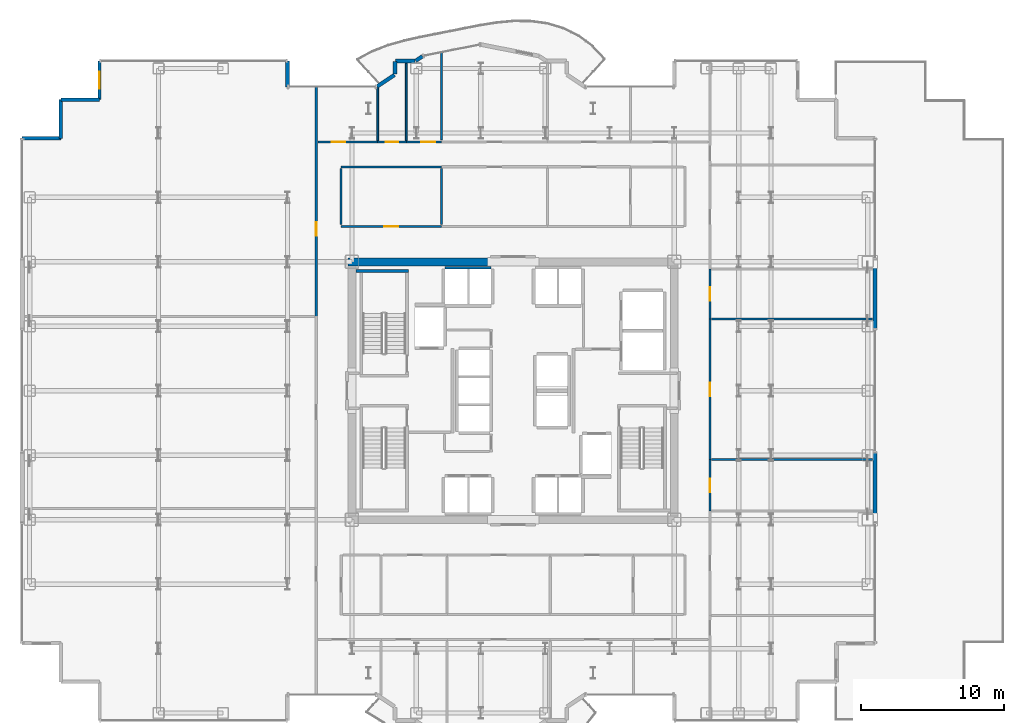
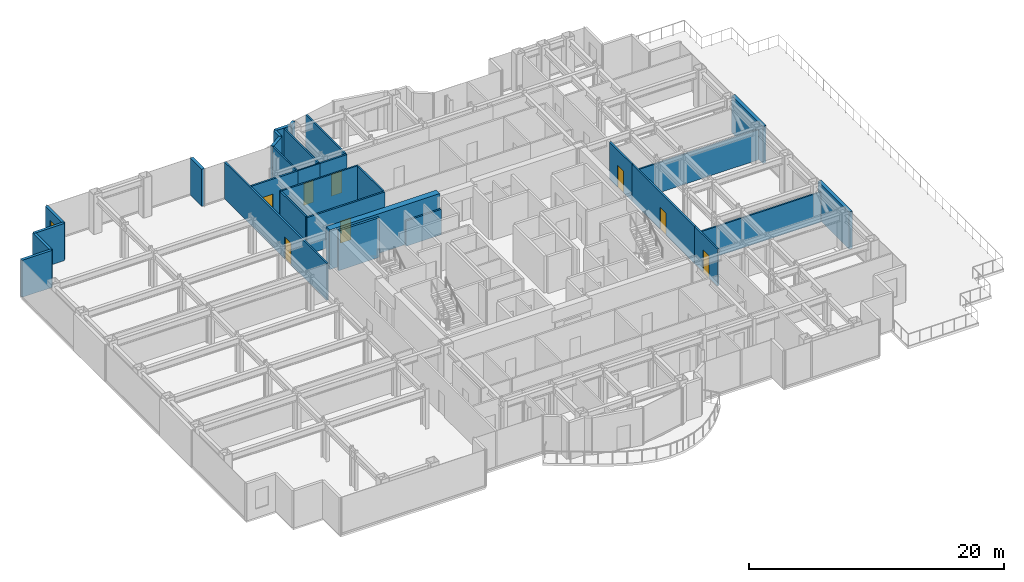
# One storey, part 23 of 27: 30 walls, 8 doors, 1 window, 9 openings.
"""IFC4 building model written with IfcOpenShell, lengths in metres."""

from ifc_helpers import new_model, si_unit, direction, frame, frame_2d, origin, place, context, subcontext, project, spatial, rectangle, extrude, source, transform, mapped, material, layer, layer_set, type_object, element, fill, save


model = new_model("IFC4")

# Units and contexts
model_context = context("Model", 3, precision=1e-05, world=origin(), true_north=direction((0.0, 1.0)))
body_context = subcontext(model_context, "Body", "Model", "MODEL_VIEW")
ifc_project = project(units=[si_unit("LENGTHUNIT", "METRE"), si_unit("AREAUNIT", "SQUARE_METRE"), si_unit("VOLUMEUNIT", "CUBIC_METRE"), si_unit("PLANEANGLEUNIT", "RADIAN"), si_unit("MASSUNIT", "GRAM", prefix="KILO")], contexts=[model_context])

# Site, building, storey
site_placement = place(None, origin())
site = spatial("IfcSite", under=ifc_project, at=site_placement, CompositionType="ELEMENT")
building_placement = place(site_placement, origin())
building = spatial("IfcBuilding", under=site, at=building_placement, Name="Nefas-Gora Pilgrimage Tower", CompositionType="ELEMENT")
storey_placement = place(building_placement, frame((0.0, 0.0, 148.800048828125)))
storey = spatial("IfcBuildingStorey", under=building, at=storey_placement, Name="L36", CompositionType="ELEMENT", Elevation=148.800048828125)

# Walls
ifc_material_1 = material(Name="Concrete C60/75", Category="concrete")
ifc_layer_1 = layer(ifc_material_1, 0.550048828125)
ifc_layer_set_1 = layer_set([ifc_layer_1], Name="Concrete C60/75")
wall_type_1 = type_object("IfcWallType", Name="SW-CORE-550", PredefinedType="SHEAR", material=ifc_layer_set_1)
shared_shape_1 = source(origin(), body_context, "Body", "SweptSolid", [
    extrude(rectangle(XDim=9.974853515625, YDim=0.550048828125, at=frame_2d((4.9873046875, 0.0))), origin(), (0.0, 0.0, 1.0), 3.800048828125),
])
wall_1_placement = place(storey_placement, frame((-11.52490234375, 9.0, 0.0), z_axis=(0.0, 0.0, 1.0), x_axis=(1.0, 0.0, 0.0)))
element("IfcWall", 1, at=wall_1_placement, inside=storey, type_object=wall_type_1, Name="L36 Core Shear Wall N-West", PredefinedType="SHEAR", context=body_context, shape_type="MappedRepresentation", body=[
    mapped(shared_shape_1, transform((0.0, 0.0, 0.0), x_axis=(1.0, 0.0, 0.0), y_axis=(0.0, 1.0, 0.0), z_axis=(0.0, 0.0, 1.0), scale=1.0)),
])
ifc_material_2 = material(Name="Precast concrete C45/55", Category="concrete")
ifc_layer_2 = layer(ifc_material_2, 0.239990234375)
ifc_layer_set_2 = layer_set([ifc_layer_2], Name="Precast concrete C45/55")
wall_type_2 = type_object("IfcWallType", Name="EW-SERR-240", PredefinedType="SHEAR", material=ifc_layer_set_2)
shared_shape_2 = source(origin(), body_context, "Body", "SweptSolid", [
    extrude(rectangle(XDim=4.8798828125, YDim=0.300048828125, at=frame_2d((2.43994140625, 0.0))), origin(), (0.0, 0.0, 1.0), 3.550048828125),
])
for number, where, z_axis, x_axis, name in (
    (2, (25.27001953125, -9.18994140625, 0.0), (0.0, 0.0, 1.0), (0.0, 1.0, 0.0), "L36 Braced-Tube Precast Shear Cladding 3"),
    (3, (25.27001953125, 4.31005859375, 0.0), (0.0, 0.0, 1.0), (0.0, 1.0, 0.0), "L36 Braced-Tube Precast Shear Cladding 4"),
):
    element("IfcWall", number, at=place(storey_placement, frame(where, z_axis=z_axis, x_axis=x_axis)), inside=storey, type_object=wall_type_2, Name=name, PredefinedType="SHEAR", context=body_context, shape_type="MappedRepresentation", body=[
        mapped(shared_shape_2, transform((0.0, 0.0, 0.0), x_axis=(1.0, 0.0, 0.0), y_axis=(0.0, 1.0, 0.0), z_axis=(0.0, 0.0, 1.0), scale=1.0)),
    ])
ifc_material_3 = material(Name="Precast concrete C40/50", Category="concrete")
ifc_layer_3 = layer(ifc_material_3, 0.260009765625)
ifc_layer_set_3 = layer_set([ifc_layer_3], Name="Precast concrete C40/50")
wall_type_3 = type_object("IfcWallType", Name="EW-PORTAL-260", PredefinedType="SOLIDWALL", material=ifc_layer_set_3)
shared_shape_3 = source(origin(), body_context, "Body", "SweptSolid", [
    extrude(rectangle(XDim=1.800048828125, YDim=0.260009765625, at=frame_2d((0.89990234375, 0.0))), origin(), (0.0, 0.0, 1.0), 3.550048828125),
])
wall_2_placement = place(storey_placement, frame((-15.75, 21.219970703125, 0.0), z_axis=(0.0, 0.0, 1.0), x_axis=(0.0, 1.0, 0.0)))
element("IfcWall", 4, at=wall_2_placement, inside=storey, type_object=wall_type_3, Name="L36 Lobe Shoulder Precast Spandrel Pier 24", PredefinedType="SOLIDWALL", context=body_context, shape_type="MappedRepresentation", body=[
    mapped(shared_shape_3, transform((0.0, 0.0, 0.0), x_axis=(1.0, 0.0, 0.0), y_axis=(0.0, 1.0, 0.0), z_axis=(0.0, 0.0, 1.0), scale=1.0)),
])

# Wall, opening, window
shared_shape_4 = source(origin(), body_context, "Body", "SweptSolid", [
    extrude(rectangle(XDim=2.699951171875, YDim=0.239990234375, at=frame_2d((1.35009765625, 0.0))), origin(), (0.0, 0.0, 1.0), 3.550048828125),
])
wall_3_placement = place(storey_placement, frame((-28.8701171875, 23.02001953125, 0.0), z_axis=(0.0, 0.0, 1.0), x_axis=(0.0, -1.0, 0.0)))
wall_3 = element("IfcWall", 5, at=wall_3_placement, inside=storey, type_object=wall_type_2, Name="L36 Serrated Corner Shear Pier Wall 25", PredefinedType="SHEAR", context=body_context, shape_type="MappedRepresentation", body=[
    mapped(shared_shape_4, transform((0.0, 0.0, 0.0), x_axis=(1.0, 0.0, 0.0), y_axis=(0.0, 1.0, 0.0), z_axis=(0.0, 0.0, 1.0), scale=1.0)),
])
opening_1_placement = place(wall_3_placement, frame((0.75, 0.0, 0.85009765625)))
opening_1 = element("IfcOpeningElement", 6, at=opening_1_placement, cuts=wall_3, Name="Opening W-V1", PredefinedType="OPENING", context=body_context, shape_type="SweptSolid", body=[
    extrude(rectangle(XDim=1.199951171875, YDim=1.800048828125, at=frame_2d((0.60009765625, 0.89990234375))), frame((0.0, 0.1298828125, 0.0), z_axis=(0.0, -1.0, 0.0), x_axis=(1.0, 0.0, 0.0)), (0.0, 0.0, 1.0), 0.260009765625),
])
ifc_material_4 = material(Name="Dark ceramic-fritted operable aluminium-glass window", Category="aluminium")
window_type = type_object("IfcWindowType", Name="WIN-VENT-1200x1800", PartitioningType="SINGLE_PANEL", PredefinedType="WINDOW", material=ifc_material_4)
shared_shape_5 = source(origin(), body_context, "Body", "SweptSolid", [
    extrude(rectangle(XDim=1.199951171875, YDim=1.800048828125, at=frame_2d((0.60009765625, 0.89990234375))), frame((0.0, 0.030029296875, 0.0), z_axis=(0.0, -1.0, 0.0), x_axis=(1.0, 0.0, 0.0)), (0.0, 0.0, 1.0), 0.06005859375),
])
window_placement = place(opening_1_placement, origin())
window = element("IfcWindow", 7, at=window_placement, inside=storey, type_object=window_type, Name="L36 Operable Parallel-Outswing Window 25", OverallHeight=1.800048828125, OverallWidth=1.199951171875, PartitioningType="SINGLE_PANEL", PredefinedType="WINDOW", context=body_context, shape_type="MappedRepresentation", body=[
    mapped(shared_shape_5, transform((0.0, 0.0, 0.0), x_axis=(1.0, 0.0, 0.0), y_axis=(0.0, 1.0, 0.0), z_axis=(0.0, 0.0, 1.0), scale=1.0)),
])
fill(opening_1, window)

# Walls
for number, where, z_axis, x_axis, name in (
    (8, (-28.8701171875, 20.320068359375, 0.0), (0.0, 0.0, 1.0), (-1.0, 0.0, 0.0), "L36 Serrated Corner Shear Pier Wall 26"),
    (9, (-31.570068359375, 20.320068359375, 0.0), (0.0, 0.0, 1.0), (0.0, -1.0, 0.0), "L36 Serrated Corner Shear Pier Wall 27"),
    (10, (-31.570068359375, 17.6201171875, 0.0), (0.0, 0.0, 1.0), (-1.0, 0.0, 0.0), "L36 Serrated Corner Shear Pier Wall 28"),
):
    element("IfcWall", number, at=place(storey_placement, frame(where, z_axis=z_axis, x_axis=x_axis)), inside=storey, type_object=wall_type_2, Name=name, PredefinedType="SHEAR", context=body_context, shape_type="MappedRepresentation", body=[
        mapped(shared_shape_4, transform((0.0, 0.0, 0.0), x_axis=(1.0, 0.0, 0.0), y_axis=(0.0, 1.0, 0.0), z_axis=(0.0, 0.0, 1.0), scale=1.0)),
    ])
shared_shape_6 = source(origin(), body_context, "Body", "SweptSolid", [
    extrude(rectangle(XDim=1.468994140625, YDim=0.260009765625, at=frame_2d((0.734375, 0.0))), origin(), (0.0, 0.0, 1.0), 3.550048828125),
])
wall_4_placement = place(storey_placement, frame((-8.273193359375, 22.0517578125, 0.0), z_axis=(0.0, 0.0, 1.0), x_axis=(-0.831461760506, -0.555581983884, 0.0)))
element("IfcWall", 11, at=wall_4_placement, inside=storey, type_object=wall_type_3, Name="L36 Lobe Shoulder Precast Spandrel Pier 23", PredefinedType="SOLIDWALL", context=body_context, shape_type="MappedRepresentation", body=[
    mapped(shared_shape_6, transform((0.0, 0.0, 0.0), x_axis=(1.0, 0.0, 0.0), y_axis=(0.0, 1.0, 0.0), z_axis=(0.0, 0.0, 1.0), scale=1.0)),
])
shared_shape_7 = source(origin(), body_context, "Body", "SweptSolid", [
    extrude(rectangle(XDim=0.896728515625, YDim=0.260009765625, at=frame_2d((0.4482421875, 0.0))), origin(), (0.0, 0.0, 1.0), 3.550048828125),
])
wall_5_placement = place(storey_placement, frame((-8.25, 22.991943359375, 0.0), z_axis=(0.0, 0.0, 1.0), x_axis=(0.0, -1.0, 0.0)))
element("IfcWall", 12, at=wall_5_placement, inside=storey, type_object=wall_type_3, Name="L36 Lobe Shoulder Precast Spandrel Pier 22", PredefinedType="SOLIDWALL", context=body_context, shape_type="MappedRepresentation", body=[
    mapped(shared_shape_7, transform((0.0, 0.0, 0.0), x_axis=(1.0, 0.0, 0.0), y_axis=(0.0, 1.0, 0.0), z_axis=(0.0, 0.0, 1.0), scale=1.0)),
])
shared_shape_8 = source(origin(), body_context, "Body", "SweptSolid", [
    extrude(rectangle(XDim=1.369873046875, YDim=0.260009765625, at=frame_2d((0.68505859375, 0.0))), origin(), (0.0, 0.0, 1.0), 3.550048828125),
])
wall_6_placement = place(storey_placement, frame((-6.85205078125, 23.02001953125, 0.0), z_axis=(0.0, 0.0, 1.0), x_axis=(-1.0, 0.0, 0.0)))
element("IfcWall", 13, at=wall_6_placement, inside=storey, type_object=wall_type_3, Name="L36 Lobe Shoulder Precast Spandrel Pier 21", PredefinedType="SOLIDWALL", context=body_context, shape_type="MappedRepresentation", body=[
    mapped(shared_shape_8, transform((0.0, 0.0, 0.0), x_axis=(1.0, 0.0, 0.0), y_axis=(0.0, 1.0, 0.0), z_axis=(0.0, 0.0, 1.0), scale=1.0)),
])
shared_shape_9 = source(origin(), body_context, "Body", "SweptSolid", [
    extrude(rectangle(XDim=0.5654296875, YDim=0.260009765625, at=frame_2d((0.28271484375, 0.0))), origin(), (0.0, 0.0, 1.0), 3.550048828125),
])
wall_7_placement = place(storey_placement, frame((-6.33056640625, 23.349609375, 0.0), z_axis=(0.0, 0.0, 1.0), x_axis=(-0.831651492666, -0.555297933317, 0.0)))
element("IfcWall", 14, at=wall_7_placement, inside=storey, type_object=wall_type_3, Name="L36 Lobe Shoulder Precast Spandrel Pier 20", PredefinedType="SOLIDWALL", context=body_context, shape_type="MappedRepresentation", body=[
    mapped(shared_shape_9, transform((0.0, 0.0, 0.0), x_axis=(1.0, 0.0, 0.0), y_axis=(0.0, 1.0, 0.0), z_axis=(0.0, 0.0, 1.0), scale=1.0)),
])
ifc_material_5 = material(Name="Concrete C45/55", Category="concrete")
ifc_layer_4 = layer(ifc_material_5, 0.199951171875)
ifc_layer_set_4 = layer_set([ifc_layer_4], Name="Concrete C45/55")
wall_type_4 = type_object("IfcWallType", Name="IW-STAIR-200", PredefinedType="SOLIDWALL", material=ifc_layer_set_4)
shared_shape_10 = source(origin(), body_context, "Body", "SweptSolid", [
    extrude(rectangle(XDim=3.679931640625, YDim=0.199951171875, at=frame_2d((1.83984375, 0.0))), origin(), (0.0, 0.0, 1.0), 3.800048828125),
])
wall_8_placement = place(storey_placement, frame((-7.300048828125, 8.35009765625, 0.0), z_axis=(0.0, 0.0, 1.0), x_axis=(-1.0, 0.0, 0.0)))
element("IfcWall", 15, at=wall_8_placement, inside=storey, type_object=wall_type_4, Name="L36 Stairwell Shear Wall ST-01-far", PredefinedType="SOLIDWALL", context=body_context, shape_type="MappedRepresentation", body=[
    mapped(shared_shape_10, transform((0.0, 0.0, 0.0), x_axis=(1.0, 0.0, 0.0), y_axis=(0.0, 1.0, 0.0), z_axis=(0.0, 0.0, 1.0), scale=1.0)),
])
ifc_material_6 = material(Name="Gypsum acoustic stud partition")
ifc_layer_5 = layer(ifc_material_6, 0.159912109375)
ifc_layer_set_5 = layer_set([ifc_layer_5], Name="Gypsum acoustic stud partition")
wall_type_5 = type_object("IfcWallType", Name="IW-CORR-160", PredefinedType="PARTITIONING", material=ifc_layer_set_5)
shared_shape_11 = source(origin(), body_context, "Body", "SweptSolid", [
    extrude(rectangle(XDim=3.199951171875, YDim=0.159912109375, at=frame_2d((1.60009765625, 0.0))), origin(), (0.0, 0.0, 1.0), 2.425048828125),
])
wall_9_placement = place(storey_placement, frame((-1.550048828125, 8.580078125, 0.0), z_axis=(0.0, 0.0, 1.0), x_axis=(-1.0, 0.0, 0.0)))
element("IfcWall", 16, at=wall_9_placement, inside=storey, type_object=wall_type_5, Name="L36 Hoistway Wall PL1-W-N", PredefinedType="PARTITIONING", context=body_context, shape_type="MappedRepresentation", body=[
    mapped(shared_shape_11, transform((0.0, 0.0, 0.0), x_axis=(1.0, 0.0, 0.0), y_axis=(0.0, 1.0, 0.0), z_axis=(0.0, 0.0, 1.0), scale=1.0)),
])

# Wall, opening, door
ifc_material_7 = material(Name="Moisture-resistant fire-rated gypsum partition")
ifc_layer_6 = layer(ifc_material_7, 0.1201171875)
ifc_layer_set_6 = layer_set([ifc_layer_6], Name="Moisture-resistant fire-rated gypsum partition")
wall_type_6 = type_object("IfcWallType", Name="IW-WET-120", PredefinedType="PLUMBINGWALL", material=ifc_layer_set_6)
shared_shape_12 = source(origin(), body_context, "Body", "SweptSolid", [
    extrude(rectangle(XDim=2.02001953125, YDim=0.1201171875, at=frame_2d((1.010009765625, 0.0))), origin(), (0.0, 0.0, 1.0), 3.534912109375),
])
wall_10_placement = place(storey_placement, frame((-9.4599609375, 17.3701171875, 0.0), z_axis=(0.0, 0.0, 1.0), x_axis=(1.0, 0.0, 0.0)))
wall_10 = element("IfcWall", 17, at=wall_10_placement, inside=storey, type_object=wall_type_6, Name="L36 Accessible Unisex WC Partition Wall 21", PredefinedType="PLUMBINGWALL", context=body_context, shape_type="MappedRepresentation", body=[
    mapped(shared_shape_12, transform((0.0, 0.0, 0.0), x_axis=(1.0, 0.0, 0.0), y_axis=(0.0, 1.0, 0.0), z_axis=(0.0, 0.0, 1.0), scale=1.0)),
])
opening_2_placement = place(wall_10_placement, frame((0.5849609375, 0.0, 0.0)))
opening_2 = element("IfcOpeningElement", 18, at=opening_2_placement, cuts=wall_10, Name="Opening ID-BT1", PredefinedType="OPENING", context=body_context, shape_type="SweptSolid", body=[
    extrude(rectangle(XDim=0.85009765625, YDim=2.10009765625, at=frame_2d((0.425048828125, 1.050048828125))), frame((0.0, 0.070068359375, 0.0), z_axis=(0.0, -1.0, 0.0), x_axis=(1.0, 0.0, 0.0)), (0.0, 0.0, 1.0), 0.14013671875),
])
ifc_material_8 = material(Name="Moisture-resistant fire-rated timber door", Category="wood")
door_type_1 = type_object("IfcDoorType", Name="DR-INT-BATH-850", OperationType="NOTDEFINED", PredefinedType="DOOR", material=ifc_material_8)
shared_shape_13 = source(origin(), body_context, "Body", "SweptSolid", [
    extrude(rectangle(XDim=0.85009765625, YDim=2.10009765625, at=frame_2d((0.425048828125, 1.050048828125))), frame((0.0, 0.02490234375, 0.0), z_axis=(0.0, -1.0, 0.0), x_axis=(1.0, 0.0, 0.0)), (0.0, 0.0, 1.0), 0.050048828125),
])
door_1_placement = place(opening_2_placement, origin())
door_1 = element("IfcDoor", 19, at=door_1_placement, inside=storey, type_object=door_type_1, Name="L36 Accessible Unisex WC Door 8", OperationType="SINGLE_SWING_RIGHT", OverallHeight=2.10009765625, OverallWidth=0.85009765625, PredefinedType="DOOR", context=body_context, shape_type="MappedRepresentation", body=[
    mapped(shared_shape_13, transform((0.0, 0.0, 0.0), x_axis=(1.0, 0.0, 0.0), y_axis=(0.0, 1.0, 0.0), z_axis=(0.0, 0.0, 1.0), scale=1.0)),
])
fill(opening_2, door_1)

shared_shape_14 = source(origin(), body_context, "Body", "SweptSolid", [
    extrude(rectangle(XDim=16.044921875, YDim=0.159912109375, at=frame_2d((8.0224609375, 0.0))), origin(), (0.0, 0.0, 1.0), 3.534912109375),
])
wall_11_placement = place(storey_placement, frame((-13.739990234375, 5.195068359375, 0.0), z_axis=(0.0, 0.0, 1.0), x_axis=(0.0, 1.0, 0.0)))
wall_11 = element("IfcWall", 20, at=wall_11_placement, inside=storey, type_object=wall_type_5, Name="L36 Pilgrim Contemplative Lounge Partition Wall 28", PredefinedType="PARTITIONING", context=body_context, shape_type="MappedRepresentation", body=[
    mapped(shared_shape_14, transform((0.0, 0.0, 0.0), x_axis=(1.0, 0.0, 0.0), y_axis=(0.0, 1.0, 0.0), z_axis=(0.0, 0.0, 1.0), scale=1.0)),
])
opening_3_placement = place(wall_11_placement, frame((5.632568359375, 0.0, 0.0)))
opening_3 = element("IfcOpeningElement", 21, at=opening_3_placement, cuts=wall_11, Name="Opening ID-GR1", PredefinedType="OPENING", context=body_context, shape_type="SweptSolid", body=[
    extrude(rectangle(XDim=0.949951171875, YDim=2.10009765625, at=frame_2d((0.47509765625, 1.050048828125))), frame((0.0, 0.08984375, 0.0), z_axis=(0.0, -1.0, 0.0), x_axis=(1.0, 0.0, 0.0)), (0.0, 0.0, 1.0), 0.179931640625),
])
ifc_material_9 = material(Name="Solid core oak fire-rated guest entrance door")
door_type_2 = type_object("IfcDoorType", Name="DR-INT-GUEST-950", OperationType="NOTDEFINED", PredefinedType="DOOR", material=ifc_material_9)
shared_shape_15 = source(origin(), body_context, "Body", "SweptSolid", [
    extrude(rectangle(XDim=0.949951171875, YDim=2.10009765625, at=frame_2d((0.47509765625, 1.050048828125))), frame((0.0, 0.02490234375, 0.0), z_axis=(0.0, -1.0, 0.0), x_axis=(1.0, 0.0, 0.0)), (0.0, 0.0, 1.0), 0.050048828125),
])
door_2_placement = place(opening_3_placement, origin())
door_2 = element("IfcDoor", 22, at=door_2_placement, inside=storey, type_object=door_type_2, Name="L36 Pilgrim Contemplative Lounge Door 11", OperationType="SINGLE_SWING_LEFT", OverallHeight=2.10009765625, OverallWidth=0.949951171875, PredefinedType="DOOR", context=body_context, shape_type="MappedRepresentation", body=[
    mapped(shared_shape_15, transform((0.0, 0.0, 0.0), x_axis=(1.0, 0.0, 0.0), y_axis=(0.0, 1.0, 0.0), z_axis=(0.0, 0.0, 1.0), scale=1.0)),
])
fill(opening_3, door_2)

shared_shape_16 = source(origin(), body_context, "Body", "SweptSolid", [
    extrude(rectangle(XDim=3.610107421875, YDim=0.159912109375, at=frame_2d((1.80517578125, 0.0))), origin(), (0.0, 0.0, 1.0), 3.534912109375),
])
wall_12_placement = place(storey_placement, frame((13.739990234375, -8.405029296875, 0.0), z_axis=(0.0, 0.0, 1.0), x_axis=(0.0, 1.0, 0.0)))
wall_12 = element("IfcWall", 23, at=wall_12_placement, inside=storey, type_object=wall_type_5, Name="L36 Pastoral Chaplains Counselling Office Partition Wall 33", PredefinedType="PARTITIONING", context=body_context, shape_type="MappedRepresentation", body=[
    mapped(shared_shape_16, transform((0.0, 0.0, 0.0), x_axis=(1.0, 0.0, 0.0), y_axis=(0.0, 1.0, 0.0), z_axis=(0.0, 0.0, 1.0), scale=1.0)),
])
opening_4_placement = place(wall_12_placement, frame((1.330078125, 0.0, 0.0)))
opening_4 = element("IfcOpeningElement", 24, at=opening_4_placement, cuts=wall_12, Name="Opening ID-GR1", PredefinedType="OPENING", context=body_context, shape_type="SweptSolid", body=[
    extrude(rectangle(XDim=0.949951171875, YDim=2.10009765625, at=frame_2d((0.47509765625, 1.050048828125))), frame((0.0, 0.08984375, 0.0), z_axis=(0.0, -1.0, 0.0), x_axis=(1.0, 0.0, 0.0)), (0.0, 0.0, 1.0), 0.179931640625),
])
door_3_placement = place(opening_4_placement, origin())
door_3 = element("IfcDoor", 25, at=door_3_placement, inside=storey, type_object=door_type_2, Name="L36 Pastoral Chaplains Counselling Office Door 14", OperationType="SINGLE_SWING_RIGHT", OverallHeight=2.10009765625, OverallWidth=0.949951171875, PredefinedType="DOOR", context=body_context, shape_type="MappedRepresentation", body=[
    mapped(shared_shape_15, transform((0.0, 0.0, 0.0), x_axis=(1.0, 0.0, 0.0), y_axis=(0.0, 1.0, 0.0), z_axis=(0.0, 0.0, 1.0), scale=1.0)),
])
fill(opening_4, door_3)

# Walls
shared_shape_17 = source(origin(), body_context, "Body", "SweptSolid", [
    extrude(rectangle(XDim=5.380126953125, YDim=0.1201171875, at=frame_2d((2.68994140625, 0.0))), origin(), (0.0, 0.0, 1.0), 3.534912109375),
])
wall_13_placement = place(storey_placement, frame((-7.449951171875, 17.469970703125, 0.0), z_axis=(0.0, 0.0, 1.0), x_axis=(0.0, 1.0, 0.0)))
element("IfcWall", 26, at=wall_13_placement, inside=storey, type_object=wall_type_6, Name="L36 Accessible Unisex WC Partition Wall 22", PredefinedType="PLUMBINGWALL", context=body_context, shape_type="MappedRepresentation", body=[
    mapped(shared_shape_17, transform((0.0, 0.0, 0.0), x_axis=(1.0, 0.0, 0.0), y_axis=(0.0, 1.0, 0.0), z_axis=(0.0, 0.0, 1.0), scale=1.0)),
])
shared_shape_18 = source(origin(), body_context, "Body", "SweptSolid", [
    extrude(rectangle(XDim=3.686767578125, YDim=0.1201171875, at=frame_2d((1.84326171875, 0.0))), origin(), (0.0, 0.0, 1.0), 3.534912109375),
])
wall_14_placement = place(storey_placement, frame((-9.449951171875, 17.469970703125, 0.0), z_axis=(0.0, 0.0, 1.0), x_axis=(0.0, 1.0, 0.0)))
element("IfcWall", 27, at=wall_14_placement, inside=storey, type_object=wall_type_6, Name="L36 Accessible Unisex WC Partition Wall 23", PredefinedType="PLUMBINGWALL", context=body_context, shape_type="MappedRepresentation", body=[
    mapped(shared_shape_18, transform((0.0, 0.0, 0.0), x_axis=(1.0, 0.0, 0.0), y_axis=(0.0, 1.0, 0.0), z_axis=(0.0, 0.0, 1.0), scale=1.0)),
])
ifc_material_10 = material(Name="Gypsum twin-stud partition")
ifc_layer_7 = layer(ifc_material_10, 0.139892578125)
ifc_layer_set_7 = layer_set([ifc_layer_7], Name="Gypsum twin-stud partition")
wall_type_7 = type_object("IfcWallType", Name="IW-UNIT-140", PredefinedType="PARTITIONING", material=ifc_layer_set_7)
shared_shape_19 = source(origin(), body_context, "Body", "SweptSolid", [
    extrude(rectangle(XDim=11.219970703125, YDim=0.139892578125, at=frame_2d((5.60986328125, 0.0))), origin(), (0.0, 0.0, 1.0), 2.875),
])
for number, where, z_axis, x_axis, name in (
    (28, (13.860107421875, -4.804931640625, 0.0), (0.0, 0.0, 1.0), (1.0, 0.0, 0.0), "L36 Pastoral Chaplains Counselling Office Partition Wall 34"),
    (29, (13.860107421875, 4.9951171875, 0.0), (0.0, 0.0, 1.0), (1.0, 0.0, 0.0), "L36 Pilgrim Contemplative Lounge Partition Wall 36"),
):
    element("IfcWall", number, at=place(storey_placement, frame(where, z_axis=z_axis, x_axis=x_axis)), inside=storey, type_object=wall_type_7, Name=name, PredefinedType="PARTITIONING", context=body_context, shape_type="MappedRepresentation", body=[
        mapped(shared_shape_19, transform((0.0, 0.0, 0.0), x_axis=(1.0, 0.0, 0.0), y_axis=(0.0, 1.0, 0.0), z_axis=(0.0, 0.0, 1.0), scale=1.0)),
    ])

# Wall, opening, door
shared_shape_20 = source(origin(), body_context, "Body", "SweptSolid", [
    extrude(rectangle(XDim=9.809814453125, YDim=0.159912109375, at=frame_2d((4.90478515625, 0.0))), origin(), (0.0, 0.0, 1.0), 3.534912109375),
])
wall_15_placement = place(storey_placement, frame((13.739990234375, -4.804931640625, 0.0), z_axis=(0.0, 0.0, 1.0), x_axis=(0.0, 1.0, 0.0)))
wall_15 = element("IfcWall", 30, at=wall_15_placement, inside=storey, type_object=wall_type_5, Name="L36 Pilgrim Contemplative Lounge Partition Wall 35", PredefinedType="PARTITIONING", context=body_context, shape_type="MappedRepresentation", body=[
    mapped(shared_shape_20, transform((0.0, 0.0, 0.0), x_axis=(1.0, 0.0, 0.0), y_axis=(0.0, 1.0, 0.0), z_axis=(0.0, 0.0, 1.0), scale=1.0)),
])
opening_5_placement = place(wall_15_placement, frame((4.429931640625, 0.0, 0.0)))
opening_5 = element("IfcOpeningElement", 31, at=opening_5_placement, cuts=wall_15, Name="Opening ID-GR1", PredefinedType="OPENING", context=body_context, shape_type="SweptSolid", body=[
    extrude(rectangle(XDim=0.949951171875, YDim=2.10009765625, at=frame_2d((0.47509765625, 1.050048828125))), frame((0.0, 0.08984375, 0.0), z_axis=(0.0, -1.0, 0.0), x_axis=(1.0, 0.0, 0.0)), (0.0, 0.0, 1.0), 0.179931640625),
])
door_4_placement = place(opening_5_placement, origin())
door_4 = element("IfcDoor", 32, at=door_4_placement, inside=storey, type_object=door_type_2, Name="L36 Pilgrim Contemplative Lounge Door 15", OperationType="SINGLE_SWING_LEFT", OverallHeight=2.10009765625, OverallWidth=0.949951171875, PredefinedType="DOOR", context=body_context, shape_type="MappedRepresentation", body=[
    mapped(shared_shape_15, transform((0.0, 0.0, 0.0), x_axis=(1.0, 0.0, 0.0), y_axis=(0.0, 1.0, 0.0), z_axis=(0.0, 0.0, 1.0), scale=1.0)),
])
fill(opening_5, door_4)

shared_shape_21 = source(origin(), body_context, "Body", "SweptSolid", [
    extrude(rectangle(XDim=3.509765625, YDim=0.159912109375, at=frame_2d((1.7548828125, 0.0))), origin(), (0.0, 0.0, 1.0), 3.534912109375),
])
wall_16_placement = place(storey_placement, frame((13.739990234375, 4.9951171875, 0.0), z_axis=(0.0, 0.0, 1.0), x_axis=(0.0, 1.0, 0.0)))
wall_16 = element("IfcWall", 33, at=wall_16_placement, inside=storey, type_object=wall_type_5, Name="L36 Scripture Reading Study Partition Wall 37", PredefinedType="PARTITIONING", context=body_context, shape_type="MappedRepresentation", body=[
    mapped(shared_shape_21, transform((0.0, 0.0, 0.0), x_axis=(1.0, 0.0, 0.0), y_axis=(0.0, 1.0, 0.0), z_axis=(0.0, 0.0, 1.0), scale=1.0)),
])
opening_6_placement = place(wall_16_placement, frame((1.280029296875, 0.0, 0.0)))
opening_6 = element("IfcOpeningElement", 34, at=opening_6_placement, cuts=wall_16, Name="Opening ID-GR1", PredefinedType="OPENING", context=body_context, shape_type="SweptSolid", body=[
    extrude(rectangle(XDim=0.949951171875, YDim=2.10009765625, at=frame_2d((0.47509765625, 1.050048828125))), frame((0.0, 0.08984375, 0.0), z_axis=(0.0, -1.0, 0.0), x_axis=(1.0, 0.0, 0.0)), (0.0, 0.0, 1.0), 0.179931640625),
])
door_5_placement = place(opening_6_placement, origin())
door_5 = element("IfcDoor", 35, at=door_5_placement, inside=storey, type_object=door_type_2, Name="L36 Scripture Reading Study Door 16", OperationType="SINGLE_SWING_RIGHT", OverallHeight=2.10009765625, OverallWidth=0.949951171875, PredefinedType="DOOR", context=body_context, shape_type="MappedRepresentation", body=[
    mapped(shared_shape_15, transform((0.0, 0.0, 0.0), x_axis=(1.0, 0.0, 0.0), y_axis=(0.0, 1.0, 0.0), z_axis=(0.0, 0.0, 1.0), scale=1.0)),
])
fill(opening_6, door_5)

shared_shape_22 = source(origin(), body_context, "Body", "SweptSolid", [
    extrude(rectangle(XDim=7.014892578125, YDim=0.159912109375, at=frame_2d((3.50732421875, 0.0))), origin(), (0.0, 0.0, 1.0), 3.534912109375),
])
wall_17_placement = place(storey_placement, frame((-12.010009765625, 11.469970703125, 0.0), z_axis=(0.0, 0.0, 1.0), x_axis=(1.0, 0.0, 0.0)))
wall_17 = element("IfcWall", 36, at=wall_17_placement, inside=storey, type_object=wall_type_5, Name="L36 Pilgrim Contemplative Lounge Partition Wall 42", PredefinedType="PARTITIONING", context=body_context, shape_type="MappedRepresentation", body=[
    mapped(shared_shape_22, transform((0.0, 0.0, 0.0), x_axis=(1.0, 0.0, 0.0), y_axis=(0.0, 1.0, 0.0), z_axis=(0.0, 0.0, 1.0), scale=1.0)),
])
opening_7_placement = place(wall_17_placement, frame((3.032470703125, 0.0, 0.0)))
opening_7 = element("IfcOpeningElement", 37, at=opening_7_placement, cuts=wall_17, Name="Opening ID-GR1", PredefinedType="OPENING", context=body_context, shape_type="SweptSolid", body=[
    extrude(rectangle(XDim=0.949951171875, YDim=2.10009765625, at=frame_2d((0.47509765625, 1.050048828125))), frame((0.0, 0.08984375, 0.0), z_axis=(0.0, -1.0, 0.0), x_axis=(1.0, 0.0, 0.0)), (0.0, 0.0, 1.0), 0.179931640625),
])
door_6_placement = place(opening_7_placement, origin())
door_6 = element("IfcDoor", 38, at=door_6_placement, inside=storey, type_object=door_type_2, Name="L36 Pilgrim Contemplative Lounge Door 19", OperationType="SINGLE_SWING_LEFT", OverallHeight=2.10009765625, OverallWidth=0.949951171875, PredefinedType="DOOR", context=body_context, shape_type="MappedRepresentation", body=[
    mapped(shared_shape_15, transform((0.0, 0.0, 0.0), x_axis=(1.0, 0.0, 0.0), y_axis=(0.0, 1.0, 0.0), z_axis=(0.0, 0.0, 1.0), scale=1.0)),
])
fill(opening_7, door_6)

# Walls
shared_shape_23 = source(origin(), body_context, "Body", "SweptSolid", [
    extrude(rectangle(XDim=7.014892578125, YDim=0.139892578125, at=frame_2d((3.50732421875, 0.0))), origin(), (0.0, 0.0, 1.0), 3.534912109375),
])
wall_18_placement = place(storey_placement, frame((-12.010009765625, 15.6298828125, 0.0), z_axis=(0.0, 0.0, 1.0), x_axis=(1.0, 0.0, 0.0)))
element("IfcWall", 39, at=wall_18_placement, inside=storey, type_object=wall_type_7, Name="L36 Pilgrim Contemplative Lounge Partition Wall 43", PredefinedType="PARTITIONING", context=body_context, shape_type="MappedRepresentation", body=[
    mapped(shared_shape_23, transform((0.0, 0.0, 0.0), x_axis=(1.0, 0.0, 0.0), y_axis=(0.0, 1.0, 0.0), z_axis=(0.0, 0.0, 1.0), scale=1.0)),
])
shared_shape_24 = source(origin(), body_context, "Body", "SweptSolid", [
    extrude(rectangle(XDim=3.929931640625, YDim=0.139892578125, at=frame_2d((1.96484375, 0.0))), origin(), (0.0, 0.0, 1.0), 3.534912109375),
])
for number, where, z_axis, x_axis, name in (
    (40, (-12.0, 11.590087890625, 0.0), (0.0, 0.0, 1.0), (0.0, 1.0, 0.0), "L36 Pilgrim Contemplative Lounge Partition Wall 44"),
    (41, (-5.0048828125, 11.590087890625, 0.0), (0.0, 0.0, 1.0), (0.0, 1.0, 0.0), "L36 Pilgrim Contemplative Lounge Partition Wall 45"),
):
    element("IfcWall", number, at=place(storey_placement, frame(where, z_axis=z_axis, x_axis=x_axis)), inside=storey, type_object=wall_type_7, Name=name, PredefinedType="PARTITIONING", context=body_context, shape_type="MappedRepresentation", body=[
        mapped(shared_shape_24, transform((0.0, 0.0, 0.0), x_axis=(1.0, 0.0, 0.0), y_axis=(0.0, 1.0, 0.0), z_axis=(0.0, 0.0, 1.0), scale=1.0)),
    ])

# Wall, opening, door
shared_shape_25 = source(origin(), body_context, "Body", "SweptSolid", [
    extrude(rectangle(XDim=2.44482421875, YDim=0.159912109375, at=frame_2d((1.222412109375, 0.0))), origin(), (0.0, 0.0, 1.0), 3.534912109375),
])
wall_19_placement = place(storey_placement, frame((-7.43994140625, 17.3701171875, 0.0), z_axis=(0.0, 0.0, 1.0), x_axis=(1.0, 0.0, 0.0)))
wall_19 = element("IfcWall", 42, at=wall_19_placement, inside=storey, type_object=wall_type_5, Name="L36 Pilgrim Contemplative Lounge Partition Wall 46", PredefinedType="PARTITIONING", context=body_context, shape_type="MappedRepresentation", body=[
    mapped(shared_shape_25, transform((0.0, 0.0, 0.0), x_axis=(1.0, 0.0, 0.0), y_axis=(0.0, 1.0, 0.0), z_axis=(0.0, 0.0, 1.0), scale=1.0)),
])
opening_8_placement = place(wall_19_placement, frame((1.046630859375, 0.0, 0.0)))
opening_8 = element("IfcOpeningElement", 43, at=opening_8_placement, cuts=wall_19, Name="Opening ID-GR1", PredefinedType="OPENING", context=body_context, shape_type="SweptSolid", body=[
    extrude(rectangle(XDim=0.949951171875, YDim=2.10009765625, at=frame_2d((0.47509765625, 1.050048828125))), frame((0.0, 0.08984375, 0.0), z_axis=(0.0, -1.0, 0.0), x_axis=(1.0, 0.0, 0.0)), (0.0, 0.0, 1.0), 0.179931640625),
])
door_7_placement = place(opening_8_placement, origin())
door_7 = element("IfcDoor", 44, at=door_7_placement, inside=storey, type_object=door_type_2, Name="L36 Pilgrim Contemplative Lounge Door 20", OperationType="SINGLE_SWING_RIGHT", OverallHeight=2.10009765625, OverallWidth=0.949951171875, PredefinedType="DOOR", context=body_context, shape_type="MappedRepresentation", body=[
    mapped(shared_shape_15, transform((0.0, 0.0, 0.0), x_axis=(1.0, 0.0, 0.0), y_axis=(0.0, 1.0, 0.0), z_axis=(0.0, 0.0, 1.0), scale=1.0)),
])
fill(opening_8, door_7)

# Wall
shared_shape_26 = source(origin(), body_context, "Body", "SweptSolid", [
    extrude(rectangle(XDim=6.15673828125, YDim=0.139892578125, at=frame_2d((3.078369140625, 0.0))), origin(), (0.0, 0.0, 1.0), 3.534912109375),
])
wall_20_placement = place(storey_placement, frame((-5.0048828125, 17.489990234375, 0.0), z_axis=(0.0, 0.0, 1.0), x_axis=(0.0, 1.0, 0.0)))
element("IfcWall", 45, at=wall_20_placement, inside=storey, type_object=wall_type_7, Name="L36 Pilgrim Contemplative Lounge Partition Wall 47", PredefinedType="PARTITIONING", context=body_context, shape_type="MappedRepresentation", body=[
    mapped(shared_shape_26, transform((0.0, 0.0, 0.0), x_axis=(1.0, 0.0, 0.0), y_axis=(0.0, 1.0, 0.0), z_axis=(0.0, 0.0, 1.0), scale=1.0)),
])

# Wall, opening, door
shared_shape_27 = source(origin(), body_context, "Body", "SweptSolid", [
    extrude(rectangle(XDim=4.16015625, YDim=0.159912109375, at=frame_2d((2.080078125, 0.0))), origin(), (0.0, 0.0, 1.0), 3.534912109375),
])
wall_21_placement = place(storey_placement, frame((-13.6201171875, 17.3701171875, 0.0), z_axis=(0.0, 0.0, 1.0), x_axis=(1.0, 0.0, 0.0)))
wall_21 = element("IfcWall", 46, at=wall_21_placement, inside=storey, type_object=wall_type_5, Name="L36 Pilgrim Contemplative Lounge Partition Wall 48", PredefinedType="PARTITIONING", context=body_context, shape_type="MappedRepresentation", body=[
    mapped(shared_shape_27, transform((0.0, 0.0, 0.0), x_axis=(1.0, 0.0, 0.0), y_axis=(0.0, 1.0, 0.0), z_axis=(0.0, 0.0, 1.0), scale=1.0)),
])
opening_9_placement = place(wall_21_placement, frame((0.968994140625, 0.0, 0.0)))
opening_9 = element("IfcOpeningElement", 47, at=opening_9_placement, cuts=wall_21, Name="Opening ID-GR1", PredefinedType="OPENING", context=body_context, shape_type="SweptSolid", body=[
    extrude(rectangle(XDim=0.949951171875, YDim=2.10009765625, at=frame_2d((0.47509765625, 1.050048828125))), frame((0.0, 0.08984375, 0.0), z_axis=(0.0, -1.0, 0.0), x_axis=(1.0, 0.0, 0.0)), (0.0, 0.0, 1.0), 0.179931640625),
])
door_8_placement = place(opening_9_placement, origin())
door_8 = element("IfcDoor", 48, at=door_8_placement, inside=storey, type_object=door_type_2, Name="L36 Pilgrim Contemplative Lounge Door 21", OperationType="SINGLE_SWING_LEFT", OverallHeight=2.10009765625, OverallWidth=0.949951171875, PredefinedType="DOOR", context=body_context, shape_type="MappedRepresentation", body=[
    mapped(shared_shape_15, transform((0.0, 0.0, 0.0), x_axis=(1.0, 0.0, 0.0), y_axis=(0.0, 1.0, 0.0), z_axis=(0.0, 0.0, 1.0), scale=1.0)),
])
fill(opening_9, door_8)

save(model, "model.ifc")
